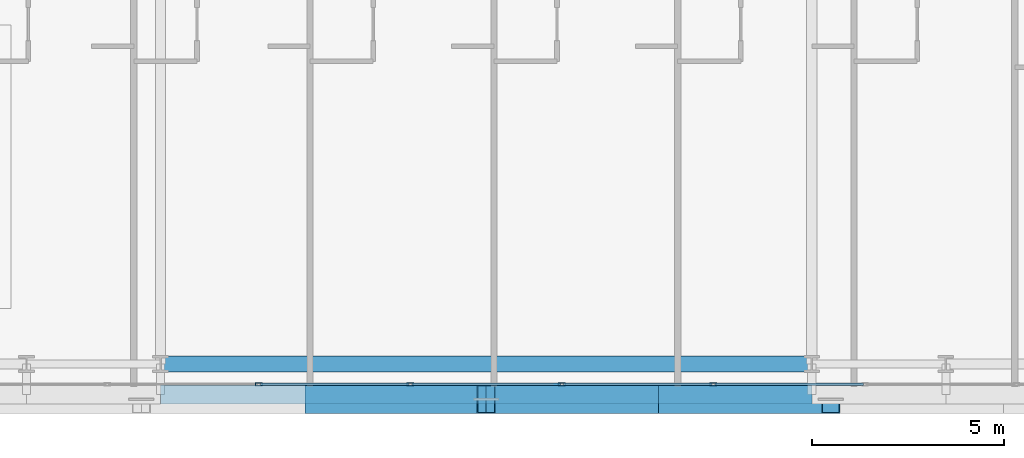
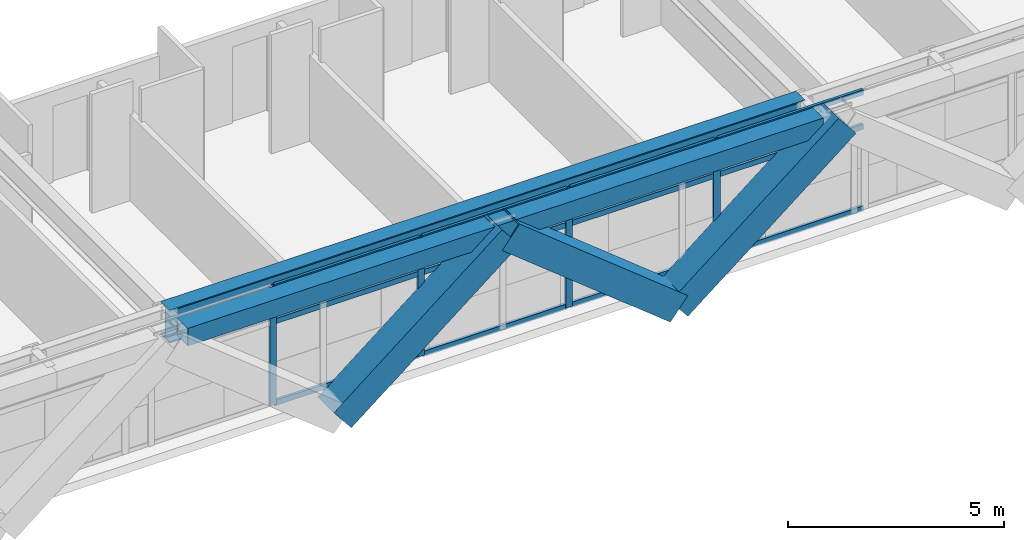
# One storey, part 5 of 35: 19 members, 2 beams, 1 element without a shape of its own.
"""IFC4 building model written with IfcOpenShell, lengths in metres."""

from ifc_helpers import new_model, si_unit, direction, frame, origin, origin_2d, place, context, subcontext, project, spatial, hollow_rectangle, i_section, extrude, source, transform, mapped, material, layer, layer_set, material_profile, profile_set, type_object, element, aggregate, save


model = new_model("IFC4")

# Units and contexts
model_context = context("Model", 3, precision=1e-05, world=origin(), true_north=direction((0.0, 1.0)))
body_context = subcontext(model_context, "Body", "Model", "MODEL_VIEW")
ifc_project = project(units=[si_unit("LENGTHUNIT", "METRE"), si_unit("AREAUNIT", "SQUARE_METRE"), si_unit("VOLUMEUNIT", "CUBIC_METRE"), si_unit("PLANEANGLEUNIT", "RADIAN"), si_unit("MASSUNIT", "GRAM", prefix="KILO")], contexts=[model_context])

# Site, building, storey
site_placement = place(None, origin())
site = spatial("IfcSite", under=ifc_project, at=site_placement, CompositionType="ELEMENT")
building_placement = place(site_placement, origin())
building = spatial("IfcBuilding", under=site, at=building_placement, Name="Ocotamira Hotel", CompositionType="ELEMENT")
storey_placement = place(building_placement, frame((0.0, 0.0, 100.800048828125)))
storey = spatial("IfcBuildingStorey", under=building, at=storey_placement, Name="L24", CompositionType="ELEMENT", Elevation=100.800048828125)

# Beams
ifc_material_1 = material(Name="Steel ASTM A992 Grade 50", Category="steel")
ifc_material_profile_1 = material_profile(ifc_material_1, i_section(OverallWidth=0.41796875, OverallDepth=0.927001953125, WebThickness=0.019287109375, FlangeThickness=0.031982421875, FilletRadius=0.02392578125, at=origin_2d()), Name="W36X231")
ifc_profile_set_1 = profile_set([ifc_material_profile_1], Name="Steel ASTM A992 Grade 50")
beam_type_1 = type_object("IfcBeamType", Name="BM-GIRD-W36X231", PredefinedType="BEAM", material=ifc_profile_set_1)
shared_shape_1 = source(origin(), body_context, "Body", "SweptSolid", [
    extrude(i_section(OverallWidth=0.41796875, OverallDepth=0.927001953125, WebThickness=0.019287109375, FlangeThickness=0.031982421875, FilletRadius=0.02392578125, at=origin_2d()), origin(), (0.0, 0.0, 1.0), 17.0),
])
beam_1_placement = place(storey_placement, frame((23.5, 2.949951171875, 2.896484375), z_axis=(1.0, 0.0, 0.0), x_axis=(0.0, 1.0, 0.0)))
element("IfcBeam", 1, at=beam_1_placement, inside=storey, type_object=beam_type_1, Name="L24 Girder Y2.95 X23.5-40.5", PredefinedType="BEAM", context=body_context, shape_type="MappedRepresentation", body=[
    mapped(shared_shape_1, transform((0.0, 0.0, 0.0), scale=1.0)),
])
ifc_material_2 = material(Name="Steel ASTM A500 Grade C", Category="steel")
ifc_material_profile_2 = material_profile(ifc_material_2, hollow_rectangle(XDim=0.5, YDim=0.5, WallThickness=0.02001953125, at=origin_2d()), Name="HSS500X500X20")
ifc_profile_set_2 = profile_set([ifc_material_profile_2], Name="Steel ASTM A500 Grade C")
beam_type_2 = type_object("IfcBeamType", Name="BM-SPAN-HSS500", PredefinedType="USERDEFINED", material=ifc_profile_set_2)
shared_shape_2 = source(origin(), body_context, "Body", "SweptSolid", [
    extrude(hollow_rectangle(XDim=0.5, YDim=0.5, WallThickness=0.02001953125, at=origin_2d()), origin(), (0.0, 0.0, 1.0), 17.0),
])
beam_2_placement = place(storey_placement, frame((23.5, 2.14990234375, 3.10986328125), z_axis=(1.0, 0.0, 0.0), x_axis=(0.0, 1.0, 0.0)))
element("IfcBeam", 2, at=beam_2_placement, inside=storey, type_object=beam_type_2, Name="L24 Edge Spandrel S X23.5-40.5", ObjectType="SPANDREL", PredefinedType="USERDEFINED", context=body_context, shape_type="MappedRepresentation", body=[
    mapped(shared_shape_2, transform((0.0, 0.0, 0.0), scale=1.0)),
])

# Members
ifc_material_3 = material(Name="Pale-metal coated steel ASTM A913 Grade 65", Category="steel")
ifc_material_profile_3 = material_profile(ifc_material_3, hollow_rectangle(XDim=0.75, YDim=0.75, WallThickness=0.028076171875, at=origin_2d()), Name="BOX750X750X28")
ifc_profile_set_3 = profile_set([ifc_material_profile_3], Name="Pale-metal coated steel ASTM A913 Grade 65")
member_type_1 = type_object("IfcMemberType", Name="MEM-EXO-BOX750", PredefinedType="BRACE", material=ifc_profile_set_3)
shared_shape_3 = source(origin(), body_context, "Body", "SweptSolid", [
    extrude(hollow_rectangle(XDim=0.75, YDim=0.75, WallThickness=0.028076171875, at=origin_2d()), origin(), (0.0, 0.0, 1.0), 5.7626953125),
])
for number, where, z_axis, x_axis, name in (
    (3, (27.5, 2.030029296875, -0.489990234375), (0.780881208953, 0.0, 0.624679547852), (0.0, 1.0, 0.0), "L24 Exoskeleton Diagrid S1.2"),
    (4, (36.5, 2.030029296875, -0.489990234375), (-0.780881208953, 0.0, 0.624679547852), (0.0, -1.0, 0.0), "L24 Exoskeleton Diagrid S2.1"),
    (5, (36.5, 2.030029296875, -0.489990234375), (0.780881208953, 0.0, 0.624679547852), (0.0, 1.0, 0.0), "L24 Exoskeleton Diagrid S2.2"),
):
    element("IfcMember", number, at=place(storey_placement, frame(where, z_axis=z_axis, x_axis=x_axis)), inside=storey, type_object=member_type_1, Name=name, PredefinedType="BRACE", context=body_context, shape_type="MappedRepresentation", body=[
        mapped(shared_shape_3, transform((0.0, 0.0, 0.0), scale=1.0)),
    ])

# Curtain wall, members
ifc_material_4 = material(Name="Anodised pale-metal aluminium and solar glass", Category="aluminium")
ifc_layer = layer(ifc_material_4, 0.179931640625)
ifc_layer_set = layer_set([ifc_layer], Name="Anodised pale-metal aluminium and solar glass")
curtain_wall_type = type_object("IfcCurtainWallType", Name="CW-SYS3-Z2", PredefinedType="NOTDEFINED", material=ifc_layer_set)
curtain_wall_placement = place(storey_placement, origin())
curtain_wall = element("IfcCurtainWall", 6, at=curtain_wall_placement, inside=storey, type_object=curtain_wall_type, Name="L24 Curtain Wall CW-3 CW-L24-S1", PredefinedType="NOTDEFINED")
ifc_material_5 = material(Name="Anodised pale-metal aluminium 6063-T6", Category="aluminium")
ifc_material_profile_4 = material_profile(ifc_material_5, hollow_rectangle(XDim=0.074951171875, YDim=0.14990234375, WallThickness=0.006103515625, at=origin_2d()), Name="HSS150X75X6")
ifc_profile_set_4 = profile_set([ifc_material_profile_4], Name="Anodised pale-metal aluminium 6063-T6")
member_type_2 = type_object("IfcMemberType", Name="CWT-150X75", PredefinedType="USERDEFINED", material=ifc_profile_set_4)
shared_shape_4 = source(origin(), body_context, "Body", "SweptSolid", [
    extrude(hollow_rectangle(XDim=0.074951171875, YDim=0.14990234375, WallThickness=0.006103515625, at=origin_2d()), origin(), (0.0, 0.0, 1.0), 3.87548828125),
])
member_1_placement = place(storey_placement, frame((26.106689453125, 2.419921875, 0.037353515625), z_axis=(1.0, 0.0, 0.0), x_axis=(0.0, 1.0, 0.0)))
member_1 = element("IfcMember", 7, at=member_1_placement, type_object=member_type_2, Name="CW-3 transom 4.1", ObjectType="TRANSOM", PredefinedType="USERDEFINED", context=body_context, shape_type="MappedRepresentation", body=[
    mapped(shared_shape_4, transform((0.0, 0.0, 0.0), scale=1.0)),
])
member_2_placement = place(storey_placement, frame((26.106689453125, 2.419921875, 2.349853515625), z_axis=(1.0, 0.0, 0.0), x_axis=(0.0, 1.0, 0.0)))
member_2 = element("IfcMember", 8, at=member_2_placement, type_object=member_type_2, Name="CW-3 transom 4.2", ObjectType="TRANSOM", PredefinedType="USERDEFINED", context=body_context, shape_type="MappedRepresentation", body=[
    mapped(shared_shape_4, transform((0.0, 0.0, 0.0), scale=1.0)),
])
member_3_placement = place(storey_placement, frame((26.106689453125, 2.419921875, 3.322509765625), z_axis=(1.0, 0.0, 0.0), x_axis=(0.0, 1.0, 0.0)))
member_3 = element("IfcMember", 9, at=member_3_placement, type_object=member_type_2, Name="CW-3 transom 4.3", ObjectType="TRANSOM", PredefinedType="USERDEFINED", context=body_context, shape_type="MappedRepresentation", body=[
    mapped(shared_shape_4, transform((0.0, 0.0, 0.0), scale=1.0)),
])
member_4_placement = place(storey_placement, frame((30.062255859375, 2.419921875, 0.037353515625), z_axis=(1.0, 0.0, 0.0), x_axis=(0.0, 1.0, 0.0)))
member_4 = element("IfcMember", 10, at=member_4_placement, type_object=member_type_2, Name="CW-3 transom 5.1", ObjectType="TRANSOM", PredefinedType="USERDEFINED", context=body_context, shape_type="MappedRepresentation", body=[
    mapped(shared_shape_4, transform((0.0, 0.0, 0.0), scale=1.0)),
])
member_5_placement = place(storey_placement, frame((30.062255859375, 2.419921875, 2.349853515625), z_axis=(1.0, 0.0, 0.0), x_axis=(0.0, 1.0, 0.0)))
member_5 = element("IfcMember", 11, at=member_5_placement, type_object=member_type_2, Name="CW-3 transom 5.2", ObjectType="TRANSOM", PredefinedType="USERDEFINED", context=body_context, shape_type="MappedRepresentation", body=[
    mapped(shared_shape_4, transform((0.0, 0.0, 0.0), scale=1.0)),
])
member_6_placement = place(storey_placement, frame((30.062255859375, 2.419921875, 3.322509765625), z_axis=(1.0, 0.0, 0.0), x_axis=(0.0, 1.0, 0.0)))
member_6 = element("IfcMember", 12, at=member_6_placement, type_object=member_type_2, Name="CW-3 transom 5.3", ObjectType="TRANSOM", PredefinedType="USERDEFINED", context=body_context, shape_type="MappedRepresentation", body=[
    mapped(shared_shape_4, transform((0.0, 0.0, 0.0), scale=1.0)),
])
member_7_placement = place(storey_placement, frame((34.017822265625, 2.419921875, 0.037353515625), z_axis=(1.0, 0.0, 0.0), x_axis=(0.0, 1.0, 0.0)))
member_7 = element("IfcMember", 13, at=member_7_placement, type_object=member_type_2, Name="CW-3 transom 6.1", ObjectType="TRANSOM", PredefinedType="USERDEFINED", context=body_context, shape_type="MappedRepresentation", body=[
    mapped(shared_shape_4, transform((0.0, 0.0, 0.0), scale=1.0)),
])
member_8_placement = place(storey_placement, frame((34.017822265625, 2.419921875, 2.349853515625), z_axis=(1.0, 0.0, 0.0), x_axis=(0.0, 1.0, 0.0)))
member_8 = element("IfcMember", 14, at=member_8_placement, type_object=member_type_2, Name="CW-3 transom 6.2", ObjectType="TRANSOM", PredefinedType="USERDEFINED", context=body_context, shape_type="MappedRepresentation", body=[
    mapped(shared_shape_4, transform((0.0, 0.0, 0.0), scale=1.0)),
])
member_9_placement = place(storey_placement, frame((34.017822265625, 2.419921875, 3.322509765625), z_axis=(1.0, 0.0, 0.0), x_axis=(0.0, 1.0, 0.0)))
member_9 = element("IfcMember", 15, at=member_9_placement, type_object=member_type_2, Name="CW-3 transom 6.3", ObjectType="TRANSOM", PredefinedType="USERDEFINED", context=body_context, shape_type="MappedRepresentation", body=[
    mapped(shared_shape_4, transform((0.0, 0.0, 0.0), scale=1.0)),
])
member_10_placement = place(storey_placement, frame((37.973388671875, 2.419921875, 0.037353515625), z_axis=(1.0, 0.0, 0.0), x_axis=(0.0, 1.0, 0.0)))
member_10 = element("IfcMember", 16, at=member_10_placement, type_object=member_type_2, Name="CW-3 transom 7.1", ObjectType="TRANSOM", PredefinedType="USERDEFINED", context=body_context, shape_type="MappedRepresentation", body=[
    mapped(shared_shape_4, transform((0.0, 0.0, 0.0), scale=1.0)),
])
member_11_placement = place(storey_placement, frame((37.973388671875, 2.419921875, 2.349853515625), z_axis=(1.0, 0.0, 0.0), x_axis=(0.0, 1.0, 0.0)))
member_11 = element("IfcMember", 17, at=member_11_placement, type_object=member_type_2, Name="CW-3 transom 7.2", ObjectType="TRANSOM", PredefinedType="USERDEFINED", context=body_context, shape_type="MappedRepresentation", body=[
    mapped(shared_shape_4, transform((0.0, 0.0, 0.0), scale=1.0)),
])
member_12_placement = place(storey_placement, frame((37.973388671875, 2.419921875, 3.322509765625), z_axis=(1.0, 0.0, 0.0), x_axis=(0.0, 1.0, 0.0)))
member_12 = element("IfcMember", 18, at=member_12_placement, type_object=member_type_2, Name="CW-3 transom 7.3", ObjectType="TRANSOM", PredefinedType="USERDEFINED", context=body_context, shape_type="MappedRepresentation", body=[
    mapped(shared_shape_4, transform((0.0, 0.0, 0.0), scale=1.0)),
])
ifc_material_profile_5 = material_profile(ifc_material_5, hollow_rectangle(XDim=0.080078125, YDim=0.179931640625, WallThickness=0.006103515625, at=origin_2d()), Name="HSS180X80X6")
ifc_profile_set_5 = profile_set([ifc_material_profile_5], Name="Anodised pale-metal aluminium 6063-T6")
member_type_3 = type_object("IfcMemberType", Name="CWM-180X75", PredefinedType="MULLION", material=ifc_profile_set_5)
shared_shape_5 = source(origin(), body_context, "Body", "SweptSolid", [
    extrude(hollow_rectangle(XDim=0.080078125, YDim=0.179931640625, WallThickness=0.006103515625, at=origin_2d()), origin(), (0.0, 0.0, 1.0), 3.35986328125),
])
member_13_placement = place(storey_placement, frame((26.066650390625, 2.419921875, 0.0), z_axis=(0.0, 0.0, 1.0), x_axis=(0.0, 1.0, 0.0)))
member_13 = element("IfcMember", 19, at=member_13_placement, type_object=member_type_3, Name="CW-3 mullion 4", PredefinedType="MULLION", context=body_context, shape_type="MappedRepresentation", body=[
    mapped(shared_shape_5, transform((0.0, 0.0, 0.0), scale=1.0)),
])
member_14_placement = place(storey_placement, frame((30.022216796875, 2.419921875, 0.0), z_axis=(0.0, 0.0, 1.0), x_axis=(0.0, 1.0, 0.0)))
member_14 = element("IfcMember", 20, at=member_14_placement, type_object=member_type_3, Name="CW-3 mullion 5", PredefinedType="MULLION", context=body_context, shape_type="MappedRepresentation", body=[
    mapped(shared_shape_5, transform((0.0, 0.0, 0.0), scale=1.0)),
])
member_15_placement = place(storey_placement, frame((33.977783203125, 2.419921875, 0.0), z_axis=(0.0, 0.0, 1.0), x_axis=(0.0, 1.0, 0.0)))
member_15 = element("IfcMember", 21, at=member_15_placement, type_object=member_type_3, Name="CW-3 mullion 6", PredefinedType="MULLION", context=body_context, shape_type="MappedRepresentation", body=[
    mapped(shared_shape_5, transform((0.0, 0.0, 0.0), scale=1.0)),
])
member_16_placement = place(storey_placement, frame((37.933349609375, 2.419921875, 0.0), z_axis=(0.0, 0.0, 1.0), x_axis=(0.0, 1.0, 0.0)))
member_16 = element("IfcMember", 22, at=member_16_placement, type_object=member_type_3, Name="CW-3 mullion 7", PredefinedType="MULLION", context=body_context, shape_type="MappedRepresentation", body=[
    mapped(shared_shape_5, transform((0.0, 0.0, 0.0), scale=1.0)),
])
aggregate(curtain_wall, [member_13, member_14, member_15, member_16, member_1, member_2, member_3, member_4, member_5, member_6, member_7, member_8, member_9, member_10, member_11, member_12])

save(model, "model.ifc")
